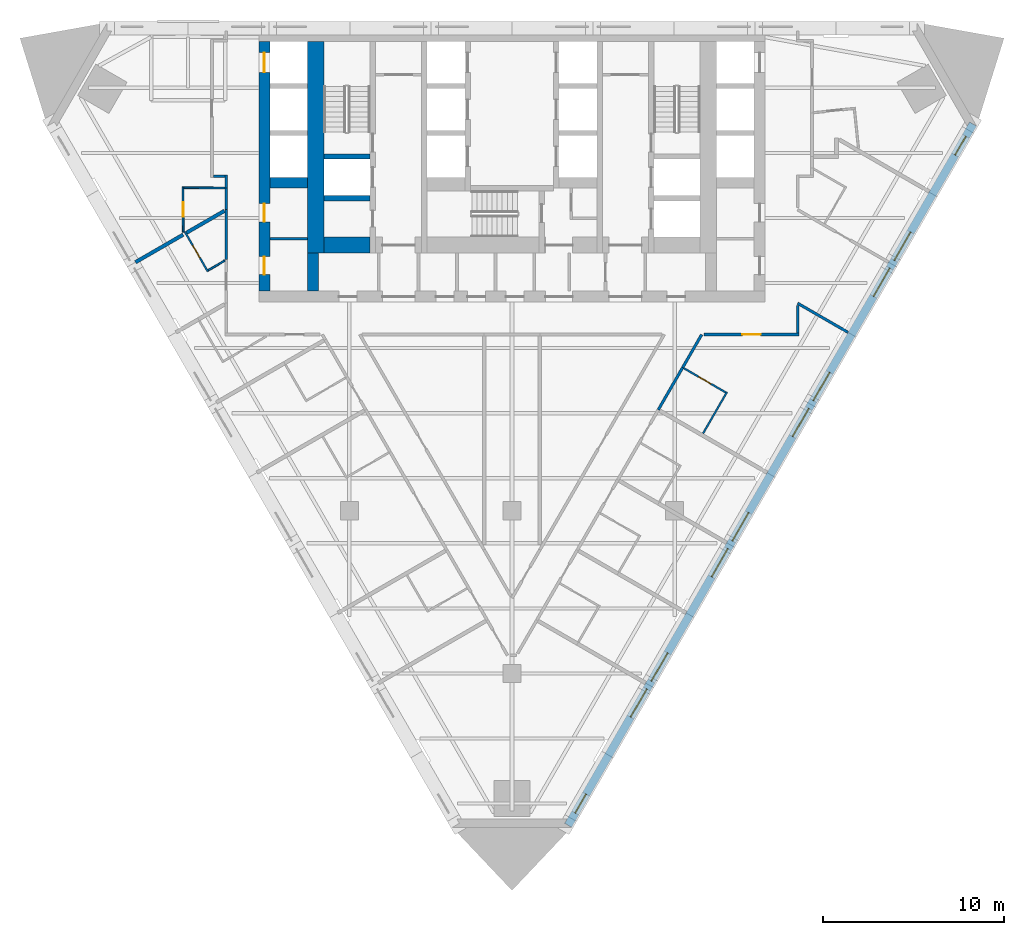
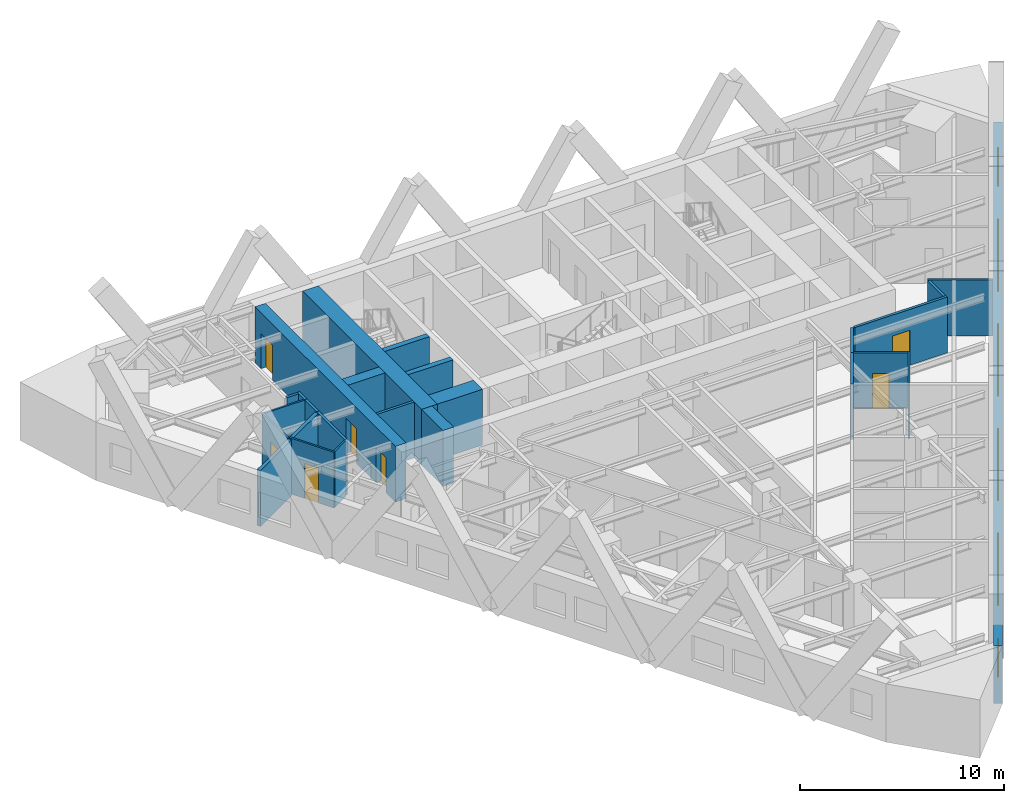
# One storey, part 5 of 9: 26 walls, 10 windows, 7 doors, 17 openings.
"""IFC4 building model written with IfcOpenShell, lengths in metres."""

from ifc_helpers import new_model, si_unit, direction, frame, frame_2d, origin, place, context, subcontext, project, spatial, polyline, rectangle, outline, extrude, material, layer, layer_set, type_object, element, fill, save


model = new_model("IFC4")

# Units and contexts
model_context = context("Model", 3, precision=1e-05, world=origin(), true_north=direction((0.0, 1.0)))
body_context = subcontext(model_context, "Body", "Model", "MODEL_VIEW")
ifc_project = project(units=[si_unit("LENGTHUNIT", "METRE"), si_unit("AREAUNIT", "SQUARE_METRE"), si_unit("VOLUMEUNIT", "CUBIC_METRE"), si_unit("PLANEANGLEUNIT", "RADIAN"), si_unit("MASSUNIT", "GRAM", prefix="KILO")], contexts=[model_context])

# Site, building, storey
site_placement = place(None, origin())
site = spatial("IfcSite", under=ifc_project, at=site_placement, CompositionType="ELEMENT")
building_placement = place(site_placement, origin())
building = spatial("IfcBuilding", under=site, at=building_placement, Name="Aloe Facet Convention Tower", CompositionType="ELEMENT")
storey_placement = place(building_placement, frame((0.0, 0.0, 42.0)))
storey = spatial("IfcBuildingStorey", under=building, at=storey_placement, Name="L08", CompositionType="ELEMENT", Elevation=42.0)

# Walls
ifc_material_1 = material(Name="Concrete blockwork partition", Category="masonry")
ifc_layer_1 = layer(ifc_material_1, 0.14990234375)
ifc_layer_set_1 = layer_set([ifc_layer_1], Name="CR-W-PART150")
wall_type_1 = type_object("IfcWallType", Name="CR-W-PART150", PredefinedType="PARTITIONING", material=ifc_layer_set_1)
wall_1_placement = place(storey_placement, frame((66.60009765625, 123.048583984375, 0.0), z_axis=(0.0, 0.0, 1.0), x_axis=(1.0, 0.0, 0.0)))
element("IfcWall", 1, at=wall_1_placement, inside=storey, type_object=wall_type_1, Name="Core partition L08-007", PredefinedType="PARTITIONING", context=body_context, shape_type="SweptSolid", body=[
    extrude(rectangle(XDim=2.099853515625, YDim=0.14990234375, at=frame_2d((1.0498046875, 0.0))), origin(), (0.0, 0.0, 1.0), 3.35009765625),
])
ifc_material_2 = material(Name="Concrete C80/95", Category="concrete")
ifc_layer_2 = layer(ifc_material_2, 0.300048828125)
ifc_layer_set_2 = layer_set([ifc_layer_2], Name="CR-W-RC300-C8095")
wall_type_2 = type_object("IfcWallType", Name="CR-W-RC300-C8095", PredefinedType="SOLIDWALL", material=ifc_layer_set_2)
for number, where, z_axis, x_axis, name in (
    (2, (69.60009765625, 127.60009765625, 0.0), (0.0, 0.0, 1.0), (1.0, 0.0, 0.0), "Core wall L08-010"),
    (3, (69.60009765625, 125.300048828125, 0.0), (0.0, 0.0, 1.0), (1.0, 0.0, 0.0), "Core wall L08-011"),
):
    element("IfcWall", number, at=place(storey_placement, frame(where, z_axis=z_axis, x_axis=x_axis)), inside=storey, type_object=wall_type_2, Name=name, PredefinedType="SOLIDWALL", context=body_context, shape_type="SweptSolid", body=[
        extrude(rectangle(XDim=2.5498046875, YDim=0.300048828125, at=frame_2d((1.27490234375, 0.0))), origin(), (0.0, 0.0, 1.0), 3.35009765625),
    ])

# Wall, openings, doors
ifc_material_3 = material(Name="Concrete C80/95", Category="concrete")
ifc_layer_3 = layer(ifc_material_3, 0.60009765625)
ifc_layer_set_3 = layer_set([ifc_layer_3], Name="CR-W-RC600-C8095")
wall_type_3 = type_object("IfcWallType", Name="CR-W-RC600-C8095", PredefinedType="SOLIDWALL", material=ifc_layer_set_3)
wall_2_placement = place(storey_placement, frame((66.300048828125, 133.949951171875, 0.0), z_axis=(0.0, 0.0, 1.0), x_axis=(0.0, -1.0, 0.0)))
wall_2 = element("IfcWall", 4, at=wall_2_placement, inside=storey, type_object=wall_type_3, Name="Core wall L08-002", PredefinedType="SOLIDWALL", context=body_context, shape_type="SweptSolid", body=[
    extrude(rectangle(XDim=13.800048828125, YDim=0.60009765625, at=frame_2d((6.89990234375, 0.0))), origin(), (0.0, 0.0, 1.0), 3.35009765625),
])
opening_1_placement = place(wall_2_placement, frame((0.60009765625, 0.0, 0.0)))
opening_1 = element("IfcOpeningElement", 5, at=opening_1_placement, cuts=wall_2, Name="Opening LD-A7-L08", PredefinedType="OPENING", context=body_context, shape_type="SweptSolid", body=[
    extrude(rectangle(XDim=1.10009765625, YDim=2.10009765625, at=frame_2d((0.550048828125, 1.050048828125))), frame((0.0, 0.31005859375, 0.0), z_axis=(0.0, -1.0, 0.0), x_axis=(1.0, 0.0, 0.0)), (0.0, 0.0, 1.0), 0.6201171875),
])
opening_2_placement = place(wall_2_placement, frame((8.963134765625, 0.0, 0.0)))
opening_2 = element("IfcOpeningElement", 6, at=opening_2_placement, cuts=wall_2, Name="Opening L08-CD33", PredefinedType="OPENING", context=body_context, shape_type="SweptSolid", body=[
    extrude(rectangle(XDim=1.0, YDim=2.10009765625, at=frame_2d((0.5, 1.050048828125))), frame((0.0, 0.31005859375, 0.0), z_axis=(0.0, -1.0, 0.0), x_axis=(1.0, 0.0, 0.0)), (0.0, 0.0, 1.0), 0.6201171875),
])
opening_3_placement = place(wall_2_placement, frame((11.88818359375, 0.0, 0.0)))
opening_3 = element("IfcOpeningElement", 7, at=opening_3_placement, cuts=wall_2, Name="Opening L08-CD34", PredefinedType="OPENING", context=body_context, shape_type="SweptSolid", body=[
    extrude(rectangle(XDim=1.0, YDim=2.10009765625, at=frame_2d((0.5, 1.050048828125))), frame((0.0, 0.31005859375, 0.0), z_axis=(0.0, -1.0, 0.0), x_axis=(1.0, 0.0, 0.0)), (0.0, 0.0, 1.0), 0.6201171875),
])
ifc_material_4 = material(Name="Steel fire-resisting door set FD60", Category="steel")
door_type_1 = type_object("IfcDoorType", Name="CR-D-ROOM-1000-FD60-SLEFT", OperationType="SINGLE_SWING_LEFT", PredefinedType="DOOR", material=ifc_material_4)
door_1_placement = place(opening_2_placement, origin())
door_1 = element("IfcDoor", 8, at=door_1_placement, inside=storey, type_object=door_type_1, Name="Core door L08-CD33", OperationType="SINGLE_SWING_LEFT", OverallHeight=2.10009765625, OverallWidth=1.0, PredefinedType="DOOR", context=body_context, shape_type="SweptSolid", body=[
    extrude(rectangle(XDim=1.0, YDim=2.10009765625, at=frame_2d((0.5, 1.050048828125))), frame((0.0, 0.02490234375, 0.0), z_axis=(0.0, -1.0, 0.0), x_axis=(1.0, 0.0, 0.0)), (0.0, 0.0, 1.0), 0.050048828125),
])
fill(opening_2, door_1)
door_2_placement = place(opening_3_placement, origin())
door_2 = element("IfcDoor", 9, at=door_2_placement, inside=storey, type_object=door_type_1, Name="Core door L08-CD34", OperationType="SINGLE_SWING_LEFT", OverallHeight=2.10009765625, OverallWidth=1.0, PredefinedType="DOOR", context=body_context, shape_type="SweptSolid", body=[
    extrude(rectangle(XDim=1.0, YDim=2.10009765625, at=frame_2d((0.5, 1.050048828125))), frame((0.0, 0.02490234375, 0.0), z_axis=(0.0, -1.0, 0.0), x_axis=(1.0, 0.0, 0.0)), (0.0, 0.0, 1.0), 0.050048828125),
])
fill(opening_3, door_2)
ifc_material_5 = material(Name="Stainless steel sliding landing door", Category="steel")
door_type_2 = type_object("IfcDoorType", Name="CR-LD-1100-FD60-_LEFT", OperationType="SLIDING_TO_LEFT", PredefinedType="DOOR", material=ifc_material_5)
door_3_placement = place(opening_1_placement, origin())
door_3 = element("IfcDoor", 10, at=door_3_placement, inside=storey, type_object=door_type_2, Name="Landing door A7 L08", OperationType="SLIDING_TO_LEFT", OverallHeight=2.10009765625, OverallWidth=1.10009765625, PredefinedType="DOOR", context=body_context, shape_type="SweptSolid", body=[
    extrude(rectangle(XDim=1.10009765625, YDim=2.10009765625, at=frame_2d((0.550048828125, 1.050048828125))), frame((0.0, 0.02490234375, 0.0), z_axis=(0.0, -1.0, 0.0), x_axis=(1.0, 0.0, 0.0)), (0.0, 0.0, 1.0), 0.050048828125),
])
fill(opening_1, door_3)

# Walls
wall_3_placement = place(storey_placement, frame((66.60009765625, 126.14990234375, 0.0), z_axis=(0.0, 0.0, 1.0), x_axis=(1.0, 0.0, 0.0)))
element("IfcWall", 11, at=wall_3_placement, inside=storey, type_object=wall_type_3, Name="Core wall L08-006", PredefinedType="SOLIDWALL", context=body_context, shape_type="SweptSolid", body=[
    extrude(rectangle(XDim=2.099853515625, YDim=0.60009765625, at=frame_2d((1.0498046875, 0.0))), origin(), (0.0, 0.0, 1.0), 3.35009765625),
])
wall_4_placement = place(storey_placement, frame((69.0, 122.25, 0.0), z_axis=(0.0, 0.0, 1.0), x_axis=(0.0, -1.0, 0.0)))
element("IfcWall", 12, at=wall_4_placement, inside=storey, type_object=wall_type_3, Name="Core wall L08-009", PredefinedType="SOLIDWALL", context=body_context, shape_type="SweptSolid", body=[
    extrude(rectangle(XDim=2.10009765625, YDim=0.60009765625, at=frame_2d((1.050048828125, 0.0))), origin(), (0.0, 0.0, 1.0), 3.35009765625),
])
ifc_material_6 = material(Name="Concrete C80/95", Category="concrete")
ifc_layer_4 = layer(ifc_material_6, 0.89990234375)
ifc_layer_set_4 = layer_set([ifc_layer_4], Name="CR-W-RC900-C8095")
wall_type_4 = type_object("IfcWallType", Name="CR-W-RC900-C8095", PredefinedType="SOLIDWALL", material=ifc_layer_set_4)
wall_5_placement = place(storey_placement, frame((69.14990234375, 133.949951171875, 0.0), z_axis=(0.0, 0.0, 1.0), x_axis=(0.0, -1.0, 0.0)))
element("IfcWall", 13, at=wall_5_placement, inside=storey, type_object=wall_type_4, Name="Core wall L08-008", PredefinedType="SOLIDWALL", context=body_context, shape_type="SweptSolid", body=[
    extrude(rectangle(XDim=11.699951171875, YDim=0.89990234375, at=frame_2d((5.85009765625, 0.0))), origin(), (0.0, 0.0, 1.0), 3.35009765625),
])
wall_6_placement = place(storey_placement, frame((69.60009765625, 122.699951171875, 0.0), z_axis=(0.0, 0.0, 1.0), x_axis=(1.0, 0.0, 0.0)))
element("IfcWall", 14, at=wall_6_placement, inside=storey, type_object=wall_type_4, Name="Core wall L08-012", PredefinedType="SOLIDWALL", context=body_context, shape_type="SweptSolid", body=[
    extrude(rectangle(XDim=2.5498046875, YDim=0.89990234375, at=frame_2d((1.27490234375, 0.0))), origin(), (0.0, 0.0, 1.0), 3.35009765625),
])

# Wall, openings, windows
ifc_material_7 = material(Name="Precast concrete C40/50", Category="concrete")
ifc_layer_5 = layer(ifc_material_7, 0.449951171875)
ifc_layer_set_5 = layer_set([ifc_layer_5], Name="EV-WALL-STONE")
wall_type_5 = type_object("IfcWallType", Name="EV-WALL-STONE", PredefinedType="SOLIDWALL", material=ifc_layer_set_5)
wall_7_placement = place(storey_placement, frame((83.105224609375, 90.598876953125, -0.14990234375), z_axis=(0.0, 0.0, 1.0), x_axis=(0.499999201451, 0.866025864826, 0.0)))
wall_7 = element("IfcWall", 15, at=wall_7_placement, inside=storey, type_object=wall_type_5, Name="EW-L08-E01", PredefinedType="SOLIDWALL", context=body_context, shape_type="SweptSolid", body=[
    extrude(outline(polyline([(44.800048828125, 0.0), (44.800048828125, 3.5), (0.0, 3.5), (0.0, 0.0), (44.800048828125, 0.0)])), frame((0.0, 0.22509765625, 0.0), z_axis=(0.0, -1.0, 0.0), x_axis=(1.0, 0.0, 0.0)), (0.0, 0.0, 1.0), 0.449951171875),
])
opening_4_placement = place(wall_7_placement, frame((0.7861328125, 0.0, 1.050048828125)))
opening_4 = element("IfcOpeningElement", 16, at=opening_4_placement, cuts=wall_7, Name="Opening W-L08-E01", PredefinedType="OPENING", context=body_context, shape_type="SweptSolid", body=[
    extrude(rectangle(XDim=1.199951171875, YDim=1.5, at=frame_2d((0.60009765625, 0.75))), frame((0.0, 0.23486328125, 0.0), z_axis=(0.0, -1.0, 0.0), x_axis=(1.0, 0.0, 0.0)), (0.0, 0.0, 1.0), 0.469970703125),
])
opening_5_placement = place(wall_7_placement, frame((6.909912109375, 0.0, 1.050048828125)))
opening_5 = element("IfcOpeningElement", 17, at=opening_5_placement, cuts=wall_7, Name="Opening W-L08-E02", PredefinedType="OPENING", context=body_context, shape_type="SweptSolid", body=[
    extrude(rectangle(XDim=1.800048828125, YDim=1.5, at=frame_2d((0.89990234375, 0.75))), frame((0.0, 0.23486328125, 0.0), z_axis=(0.0, -1.0, 0.0), x_axis=(1.0, 0.0, 0.0)), (0.0, 0.0, 1.0), 0.469970703125),
])
opening_6_placement = place(wall_7_placement, frame((9.2099609375, 0.0, 1.050048828125)))
opening_6 = element("IfcOpeningElement", 18, at=opening_6_placement, cuts=wall_7, Name="Opening W-L08-E03", PredefinedType="OPENING", context=body_context, shape_type="SweptSolid", body=[
    extrude(rectangle(XDim=1.800048828125, YDim=1.5, at=frame_2d((0.89990234375, 0.75))), frame((0.0, 0.23486328125, 0.0), z_axis=(0.0, -1.0, 0.0), x_axis=(1.0, 0.0, 0.0)), (0.0, 0.0, 1.0), 0.469970703125),
])
opening_7_placement = place(wall_7_placement, frame((15.8701171875, 0.0, 1.050048828125)))
opening_7 = element("IfcOpeningElement", 19, at=opening_7_placement, cuts=wall_7, Name="Opening W-L08-E04", PredefinedType="OPENING", context=body_context, shape_type="SweptSolid", body=[
    extrude(rectangle(XDim=1.800048828125, YDim=1.5, at=frame_2d((0.89990234375, 0.75))), frame((0.0, 0.23486328125, 0.0), z_axis=(0.0, -1.0, 0.0), x_axis=(1.0, 0.0, 0.0)), (0.0, 0.0, 1.0), 0.469970703125),
])
opening_8_placement = place(wall_7_placement, frame((18.169921875, 0.0, 1.050048828125)))
opening_8 = element("IfcOpeningElement", 20, at=opening_8_placement, cuts=wall_7, Name="Opening W-L08-E05", PredefinedType="OPENING", context=body_context, shape_type="SweptSolid", body=[
    extrude(rectangle(XDim=1.800048828125, YDim=1.5, at=frame_2d((0.89990234375, 0.75))), frame((0.0, 0.23486328125, 0.0), z_axis=(0.0, -1.0, 0.0), x_axis=(1.0, 0.0, 0.0)), (0.0, 0.0, 1.0), 0.469970703125),
])
opening_9_placement = place(wall_7_placement, frame((24.830078125, 0.0, 1.050048828125)))
opening_9 = element("IfcOpeningElement", 21, at=opening_9_placement, cuts=wall_7, Name="Opening W-L08-E06", PredefinedType="OPENING", context=body_context, shape_type="SweptSolid", body=[
    extrude(rectangle(XDim=1.800048828125, YDim=1.5, at=frame_2d((0.89990234375, 0.75))), frame((0.0, 0.23486328125, 0.0), z_axis=(0.0, -1.0, 0.0), x_axis=(1.0, 0.0, 0.0)), (0.0, 0.0, 1.0), 0.469970703125),
])
opening_10_placement = place(wall_7_placement, frame((27.1298828125, 0.0, 1.050048828125)))
opening_10 = element("IfcOpeningElement", 22, at=opening_10_placement, cuts=wall_7, Name="Opening W-L08-E07", PredefinedType="OPENING", context=body_context, shape_type="SweptSolid", body=[
    extrude(rectangle(XDim=1.800048828125, YDim=1.5, at=frame_2d((0.89990234375, 0.75))), frame((0.0, 0.23486328125, 0.0), z_axis=(0.0, -1.0, 0.0), x_axis=(1.0, 0.0, 0.0)), (0.0, 0.0, 1.0), 0.469970703125),
])
opening_11_placement = place(wall_7_placement, frame((33.7900390625, 0.0, 1.050048828125)))
opening_11 = element("IfcOpeningElement", 23, at=opening_11_placement, cuts=wall_7, Name="Opening W-L08-E08", PredefinedType="OPENING", context=body_context, shape_type="SweptSolid", body=[
    extrude(rectangle(XDim=1.800048828125, YDim=1.5, at=frame_2d((0.89990234375, 0.75))), frame((0.0, 0.23486328125, 0.0), z_axis=(0.0, -1.0, 0.0), x_axis=(1.0, 0.0, 0.0)), (0.0, 0.0, 1.0), 0.469970703125),
])
opening_12_placement = place(wall_7_placement, frame((36.090087890625, 0.0, 1.050048828125)))
opening_12 = element("IfcOpeningElement", 24, at=opening_12_placement, cuts=wall_7, Name="Opening W-L08-E09", PredefinedType="OPENING", context=body_context, shape_type="SweptSolid", body=[
    extrude(rectangle(XDim=1.800048828125, YDim=1.5, at=frame_2d((0.89990234375, 0.75))), frame((0.0, 0.23486328125, 0.0), z_axis=(0.0, -1.0, 0.0), x_axis=(1.0, 0.0, 0.0)), (0.0, 0.0, 1.0), 0.469970703125),
])
opening_13_placement = place(wall_7_placement, frame((42.81396484375, 0.0, 1.050048828125)))
opening_13 = element("IfcOpeningElement", 25, at=opening_13_placement, cuts=wall_7, Name="Opening W-L08-E10", PredefinedType="OPENING", context=body_context, shape_type="SweptSolid", body=[
    extrude(rectangle(XDim=1.199951171875, YDim=1.5, at=frame_2d((0.60009765625, 0.75))), frame((0.0, 0.23486328125, 0.0), z_axis=(0.0, -1.0, 0.0), x_axis=(1.0, 0.0, 0.0)), (0.0, 0.0, 1.0), 0.469970703125),
])
ifc_material_8 = material(Name="Aluminium frame, clear double glazing", Category="aluminium")
window_type_1 = type_object("IfcWindowType", Name="EV-WIN-H12", PartitioningType="SINGLE_PANEL", PredefinedType="WINDOW", material=ifc_material_8)
window_1_placement = place(opening_4_placement, origin())
window_1 = element("IfcWindow", 26, at=window_1_placement, inside=storey, type_object=window_type_1, Name="W-L08-E01", OverallHeight=1.5, OverallWidth=1.199951171875, PartitioningType="SINGLE_PANEL", PredefinedType="WINDOW", context=body_context, shape_type="SweptSolid", body=[
    extrude(rectangle(XDim=1.199951171875, YDim=1.5, at=frame_2d((0.60009765625, 0.75))), frame((0.0, 0.030029296875, 0.0), z_axis=(0.0, -1.0, 0.0), x_axis=(1.0, 0.0, 0.0)), (0.0, 0.0, 1.0), 0.06005859375),
])
fill(opening_4, window_1)
window_2_placement = place(opening_13_placement, origin())
window_2 = element("IfcWindow", 27, at=window_2_placement, inside=storey, type_object=window_type_1, Name="W-L08-E10", OverallHeight=1.5, OverallWidth=1.199951171875, PartitioningType="SINGLE_PANEL", PredefinedType="WINDOW", context=body_context, shape_type="SweptSolid", body=[
    extrude(rectangle(XDim=1.199951171875, YDim=1.5, at=frame_2d((0.60009765625, 0.75))), frame((0.0, 0.030029296875, 0.0), z_axis=(0.0, -1.0, 0.0), x_axis=(1.0, 0.0, 0.0)), (0.0, 0.0, 1.0), 0.06005859375),
])
fill(opening_13, window_2)
ifc_material_9 = material(Name="Aluminium frame, clear double glazing", Category="aluminium")
window_type_2 = type_object("IfcWindowType", Name="EV-WIN-H18", PartitioningType="SINGLE_PANEL", PredefinedType="WINDOW", material=ifc_material_9)
window_3_placement = place(opening_5_placement, origin())
window_3 = element("IfcWindow", 28, at=window_3_placement, inside=storey, type_object=window_type_2, Name="W-L08-E02", OverallHeight=1.5, OverallWidth=1.800048828125, PartitioningType="SINGLE_PANEL", PredefinedType="WINDOW", context=body_context, shape_type="SweptSolid", body=[
    extrude(rectangle(XDim=1.800048828125, YDim=1.5, at=frame_2d((0.89990234375, 0.75))), frame((0.0, 0.030029296875, 0.0), z_axis=(0.0, -1.0, 0.0), x_axis=(1.0, 0.0, 0.0)), (0.0, 0.0, 1.0), 0.06005859375),
])
fill(opening_5, window_3)
window_4_placement = place(opening_6_placement, origin())
window_4 = element("IfcWindow", 29, at=window_4_placement, inside=storey, type_object=window_type_2, Name="W-L08-E03", OverallHeight=1.5, OverallWidth=1.800048828125, PartitioningType="SINGLE_PANEL", PredefinedType="WINDOW", context=body_context, shape_type="SweptSolid", body=[
    extrude(rectangle(XDim=1.800048828125, YDim=1.5, at=frame_2d((0.89990234375, 0.75))), frame((0.0, 0.030029296875, 0.0), z_axis=(0.0, -1.0, 0.0), x_axis=(1.0, 0.0, 0.0)), (0.0, 0.0, 1.0), 0.06005859375),
])
fill(opening_6, window_4)
window_5_placement = place(opening_7_placement, origin())
window_5 = element("IfcWindow", 30, at=window_5_placement, inside=storey, type_object=window_type_2, Name="W-L08-E04", OverallHeight=1.5, OverallWidth=1.800048828125, PartitioningType="SINGLE_PANEL", PredefinedType="WINDOW", context=body_context, shape_type="SweptSolid", body=[
    extrude(rectangle(XDim=1.800048828125, YDim=1.5, at=frame_2d((0.89990234375, 0.75))), frame((0.0, 0.030029296875, 0.0), z_axis=(0.0, -1.0, 0.0), x_axis=(1.0, 0.0, 0.0)), (0.0, 0.0, 1.0), 0.06005859375),
])
fill(opening_7, window_5)
window_6_placement = place(opening_8_placement, origin())
window_6 = element("IfcWindow", 31, at=window_6_placement, inside=storey, type_object=window_type_2, Name="W-L08-E05", OverallHeight=1.5, OverallWidth=1.800048828125, PartitioningType="SINGLE_PANEL", PredefinedType="WINDOW", context=body_context, shape_type="SweptSolid", body=[
    extrude(rectangle(XDim=1.800048828125, YDim=1.5, at=frame_2d((0.89990234375, 0.75))), frame((0.0, 0.030029296875, 0.0), z_axis=(0.0, -1.0, 0.0), x_axis=(1.0, 0.0, 0.0)), (0.0, 0.0, 1.0), 0.06005859375),
])
fill(opening_8, window_6)
window_7_placement = place(opening_9_placement, origin())
window_7 = element("IfcWindow", 32, at=window_7_placement, inside=storey, type_object=window_type_2, Name="W-L08-E06", OverallHeight=1.5, OverallWidth=1.800048828125, PartitioningType="SINGLE_PANEL", PredefinedType="WINDOW", context=body_context, shape_type="SweptSolid", body=[
    extrude(rectangle(XDim=1.800048828125, YDim=1.5, at=frame_2d((0.89990234375, 0.75))), frame((0.0, 0.030029296875, 0.0), z_axis=(0.0, -1.0, 0.0), x_axis=(1.0, 0.0, 0.0)), (0.0, 0.0, 1.0), 0.06005859375),
])
fill(opening_9, window_7)
window_8_placement = place(opening_10_placement, origin())
window_8 = element("IfcWindow", 33, at=window_8_placement, inside=storey, type_object=window_type_2, Name="W-L08-E07", OverallHeight=1.5, OverallWidth=1.800048828125, PartitioningType="SINGLE_PANEL", PredefinedType="WINDOW", context=body_context, shape_type="SweptSolid", body=[
    extrude(rectangle(XDim=1.800048828125, YDim=1.5, at=frame_2d((0.89990234375, 0.75))), frame((0.0, 0.030029296875, 0.0), z_axis=(0.0, -1.0, 0.0), x_axis=(1.0, 0.0, 0.0)), (0.0, 0.0, 1.0), 0.06005859375),
])
fill(opening_10, window_8)
window_9_placement = place(opening_11_placement, origin())
window_9 = element("IfcWindow", 34, at=window_9_placement, inside=storey, type_object=window_type_2, Name="W-L08-E08", OverallHeight=1.5, OverallWidth=1.800048828125, PartitioningType="SINGLE_PANEL", PredefinedType="WINDOW", context=body_context, shape_type="SweptSolid", body=[
    extrude(rectangle(XDim=1.800048828125, YDim=1.5, at=frame_2d((0.89990234375, 0.75))), frame((0.0, 0.030029296875, 0.0), z_axis=(0.0, -1.0, 0.0), x_axis=(1.0, 0.0, 0.0)), (0.0, 0.0, 1.0), 0.06005859375),
])
fill(opening_11, window_9)
window_10_placement = place(opening_12_placement, origin())
window_10 = element("IfcWindow", 35, at=window_10_placement, inside=storey, type_object=window_type_2, Name="W-L08-E09", OverallHeight=1.5, OverallWidth=1.800048828125, PartitioningType="SINGLE_PANEL", PredefinedType="WINDOW", context=body_context, shape_type="SweptSolid", body=[
    extrude(rectangle(XDim=1.800048828125, YDim=1.5, at=frame_2d((0.89990234375, 0.75))), frame((0.0, 0.030029296875, 0.0), z_axis=(0.0, -1.0, 0.0), x_axis=(1.0, 0.0, 0.0)), (0.0, 0.0, 1.0), 0.06005859375),
])
fill(opening_12, window_10)

# Walls
ifc_material_10 = material(Name="Gypsum board partition on steel studs", Category="steel")
ifc_layer_6 = layer(ifc_material_10, 0.14990234375)
ifc_layer_set_6 = layer_set([ifc_layer_6], Name="IN-W-CORR")
wall_type_6 = type_object("IfcWallType", Name="IN-W-CORR", PredefinedType="PARTITIONING", material=ifc_layer_set_6)
wall_8_placement = place(storey_placement, frame((88.09130859375, 113.585205078125, 0.0), z_axis=(0.0, 0.0, 1.0), x_axis=(0.50000943426, 0.866019956843, 0.0)))
element("IfcWall", 36, at=wall_8_placement, inside=storey, type_object=wall_type_6, Name="Partition L08-W052", PredefinedType="PARTITIONING", context=body_context, shape_type="SweptSolid", body=[
    extrude(rectangle(XDim=2.7001953125, YDim=0.14990234375, at=frame_2d((1.35009765625, 0.0))), origin(), (0.0, 0.0, 1.0), 3.35009765625),
])
wall_9_placement = place(storey_placement, frame((89.44140625, 115.923583984375, 0.0), z_axis=(0.0, 0.0, 1.0), x_axis=(0.499986337096, 0.866033291922, 0.0)))
element("IfcWall", 37, at=wall_9_placement, inside=storey, type_object=wall_type_6, Name="Partition L08-W069", PredefinedType="PARTITIONING", context=body_context, shape_type="SweptSolid", body=[
    extrude(rectangle(XDim=2.10888671875, YDim=0.14990234375, at=frame_2d((1.054443359375, 0.0))), origin(), (0.0, 0.0, 1.0), 3.35009765625),
])

# Wall, opening, door
wall_10_placement = place(storey_placement, frame((90.625732421875, 117.75, 0.0), z_axis=(0.0, 0.0, 1.0), x_axis=(1.0, 0.0, 0.0)))
wall_10 = element("IfcWall", 38, at=wall_10_placement, inside=storey, type_object=wall_type_6, Name="Partition L08-W070", PredefinedType="PARTITIONING", context=body_context, shape_type="SweptSolid", body=[
    extrude(rectangle(XDim=5.249267578125, YDim=0.14990234375, at=frame_2d((2.62451171875, 0.0))), origin(), (0.0, 0.0, 1.0), 3.35009765625),
])
opening_14_placement = place(wall_10_placement, frame((2.12451171875, 0.0, 0.0)))
opening_14 = element("IfcOpeningElement", 39, at=opening_14_placement, cuts=wall_10, Name="Opening L08-010", PredefinedType="OPENING", context=body_context, shape_type="SweptSolid", body=[
    extrude(rectangle(XDim=1.0, YDim=2.10009765625, at=frame_2d((0.5, 1.050048828125))), frame((0.0, 0.0849609375, 0.0), z_axis=(0.0, -1.0, 0.0), x_axis=(1.0, 0.0, 0.0)), (0.0, 0.0, 1.0), 0.169921875),
])
ifc_material_11 = material(Name="Hardwood flush door FD30S", Category="wood")
door_type_3 = type_object("IfcDoorType", Name="IN-D-WIDE", OperationType="SINGLE_SWING_LEFT", PredefinedType="DOOR", material=ifc_material_11)
door_4_placement = place(opening_14_placement, origin())
door_4 = element("IfcDoor", 40, at=door_4_placement, inside=storey, type_object=door_type_3, Name="Door L08-010", OperationType="SINGLE_SWING_LEFT", OverallHeight=2.10009765625, OverallWidth=1.0, PredefinedType="DOOR", context=body_context, shape_type="SweptSolid", body=[
    extrude(rectangle(XDim=1.0, YDim=2.10009765625, at=frame_2d((0.5, 1.050048828125))), frame((0.0, 0.02490234375, 0.0), z_axis=(0.0, -1.0, 0.0), x_axis=(1.0, 0.0, 0.0)), (0.0, 0.0, 1.0), 0.050048828125),
])
fill(opening_14, door_4)

# Walls
wall_11_placement = place(storey_placement, frame((95.800048828125, 119.480712890625, 0.0), z_axis=(0.0, 0.0, 1.0), x_axis=(0.866017228228, -0.500014160211, 0.0)))
element("IfcWall", 41, at=wall_11_placement, inside=storey, type_object=wall_type_6, Name="Partition L08-W072", PredefinedType="PARTITIONING", context=body_context, shape_type="SweptSolid", body=[
    extrude(rectangle(XDim=3.2119140625, YDim=0.14990234375, at=frame_2d((1.60595703125, 0.0))), origin(), (0.0, 0.0, 1.0), 3.35009765625),
])
wall_12_placement = place(storey_placement, frame((95.800048828125, 117.824951171875, 0.0), z_axis=(0.0, 0.0, 1.0), x_axis=(0.0, 1.0, 0.0)))
element("IfcWall", 42, at=wall_12_placement, inside=storey, type_object=wall_type_6, Name="Partition L08-W076", PredefinedType="PARTITIONING", context=body_context, shape_type="SweptSolid", body=[
    extrude(rectangle(XDim=1.52587890625, YDim=0.14990234375, at=frame_2d((0.762939453125, 0.0))), origin(), (0.0, 0.0, 1.0), 3.35009765625),
])
wall_13_placement = place(storey_placement, frame((64.199951171875, 121.89404296875, 0.0), z_axis=(0.0, 0.0, 1.0), x_axis=(0.0, 1.0, 0.0)))
element("IfcWall", 43, at=wall_13_placement, inside=storey, type_object=wall_type_6, Name="Partition L08-W085", PredefinedType="PARTITIONING", context=body_context, shape_type="SweptSolid", body=[
    extrude(rectangle(XDim=2.759765625, YDim=0.14990234375, at=frame_2d((1.3798828125, 0.0))), origin(), (0.0, 0.0, 1.0), 3.35009765625),
])
wall_14_placement = place(storey_placement, frame((64.199951171875, 125.858154296875, 0.0), z_axis=(0.0, 0.0, 1.0), x_axis=(0.0, 1.0, 0.0)))
element("IfcWall", 44, at=wall_14_placement, inside=storey, type_object=wall_type_6, Name="Partition L08-W088", PredefinedType="PARTITIONING", context=body_context, shape_type="SweptSolid", body=[
    extrude(rectangle(XDim=0.716796875, YDim=0.14990234375, at=frame_2d((0.3583984375, 0.0))), origin(), (0.0, 0.0, 1.0), 3.35009765625),
])
wall_15_placement = place(storey_placement, frame((64.199951171875, 124.65380859375, 0.0), z_axis=(0.0, 0.0, 1.0), x_axis=(0.0, 1.0, 0.0)))
element("IfcWall", 45, at=wall_15_placement, inside=storey, type_object=wall_type_6, Name="Partition L08-W090", PredefinedType="PARTITIONING", context=body_context, shape_type="SweptSolid", body=[
    extrude(rectangle(XDim=1.204345703125, YDim=0.14990234375, at=frame_2d((0.60205078125, 0.0))), origin(), (0.0, 0.0, 1.0), 3.35009765625),
])
wall_16_placement = place(storey_placement, frame((63.47509765625, 126.5, 0.0), z_axis=(0.0, 0.0, 1.0), x_axis=(1.0, 0.0, 0.0)))
element("IfcWall", 46, at=wall_16_placement, inside=storey, type_object=wall_type_6, Name="Partition L08-W093", PredefinedType="PARTITIONING", context=body_context, shape_type="SweptSolid", body=[
    extrude(rectangle(XDim=0.64990234375, YDim=0.14990234375, at=frame_2d((0.324951171875, 0.0))), origin(), (0.0, 0.0, 1.0), 3.35009765625),
])
ifc_material_12 = material(Name="Gypsum board partition on steel studs", Category="steel")
ifc_layer_7 = layer(ifc_material_12, 0.10009765625)
ifc_layer_set_7 = layer_set([ifc_layer_7], Name="IN-W-PART")
wall_type_7 = type_object("IfcWallType", Name="IN-W-PART", PredefinedType="PARTITIONING", material=ifc_layer_set_7)
wall_17_placement = place(storey_placement, frame((90.5712890625, 112.280517578125, 0.0), z_axis=(0.0, 0.0, 1.0), x_axis=(0.500007957085, 0.86602080971, 0.0)))
element("IfcWall", 47, at=wall_17_placement, inside=storey, type_object=wall_type_7, Name="Partition L08-W055", PredefinedType="PARTITIONING", context=body_context, shape_type="SweptSolid", body=[
    extrude(rectangle(XDim=2.64013671875, YDim=0.10009765625, at=frame_2d((1.320068359375, 0.0))), origin(), (0.0, 0.0, 1.0), 3.35009765625),
])

# Wall, opening, door
wall_18_placement = place(storey_placement, frame((89.51513671875, 115.881103515625, 0.0), z_axis=(0.0, 0.0, 1.0), x_axis=(0.86601318911, -0.500021155841, 0.0)))
wall_18 = element("IfcWall", 48, at=wall_18_placement, inside=storey, type_object=wall_type_7, Name="Partition L08-W057", PredefinedType="PARTITIONING", context=body_context, shape_type="SweptSolid", body=[
    extrude(rectangle(XDim=2.6650390625, YDim=0.10009765625, at=frame_2d((1.33251953125, 0.0))), origin(), (0.0, 0.0, 1.0), 3.35009765625),
])
opening_15_placement = place(wall_18_placement, frame((0.9326171875, 0.0, 0.0)))
opening_15 = element("IfcOpeningElement", 49, at=opening_15_placement, cuts=wall_18, Name="Opening L08-026", PredefinedType="OPENING", context=body_context, shape_type="SweptSolid", body=[
    extrude(rectangle(XDim=0.800048828125, YDim=2.10009765625, at=frame_2d((0.39990234375, 1.050048828125))), frame((0.0, 0.06005859375, 0.0), z_axis=(0.0, -1.0, 0.0), x_axis=(1.0, 0.0, 0.0)), (0.0, 0.0, 1.0), 0.1201171875),
])
ifc_material_13 = material(Name="Timber flush door", Category="wood")
door_type_4 = type_object("IfcDoorType", Name="IN-D-BATH", OperationType="SINGLE_SWING_LEFT", PredefinedType="DOOR", material=ifc_material_13)
door_5_placement = place(opening_15_placement, origin())
door_5 = element("IfcDoor", 50, at=door_5_placement, inside=storey, type_object=door_type_4, Name="Door L08-026", OperationType="SINGLE_SWING_LEFT", OverallHeight=2.10009765625, OverallWidth=0.800048828125, PredefinedType="DOOR", context=body_context, shape_type="SweptSolid", body=[
    extrude(rectangle(XDim=0.800048828125, YDim=2.10009765625, at=frame_2d((0.39990234375, 1.050048828125))), frame((0.0, 0.02490234375, 0.0), z_axis=(0.0, -1.0, 0.0), x_axis=(1.0, 0.0, 0.0)), (0.0, 0.0, 1.0), 0.050048828125),
])
fill(opening_15, door_5)

wall_19_placement = place(storey_placement, frame((61.8984375, 123.4404296875, 0.0), z_axis=(0.0, 0.0, 1.0), x_axis=(0.499990435942, -0.866030925526, 0.0)))
wall_19 = element("IfcWall", 51, at=wall_19_placement, inside=storey, type_object=wall_type_7, Name="Partition L08-W077", PredefinedType="PARTITIONING", context=body_context, shape_type="SweptSolid", body=[
    extrude(rectangle(XDim=2.5498046875, YDim=0.10009765625, at=frame_2d((1.27490234375, 0.0))), origin(), (0.0, 0.0, 1.0), 3.35009765625),
])
opening_16_placement = place(wall_19_placement, frame((0.875, 0.0, 0.0)))
opening_16 = element("IfcOpeningElement", 52, at=opening_16_placement, cuts=wall_19, Name="Opening L08-018", PredefinedType="OPENING", context=body_context, shape_type="SweptSolid", body=[
    extrude(rectangle(XDim=0.800048828125, YDim=2.10009765625, at=frame_2d((0.39990234375, 1.050048828125))), frame((0.0, 0.06005859375, 0.0), z_axis=(0.0, -1.0, 0.0), x_axis=(1.0, 0.0, 0.0)), (0.0, 0.0, 1.0), 0.1201171875),
])
door_6_placement = place(opening_16_placement, origin())
door_6 = element("IfcDoor", 53, at=door_6_placement, inside=storey, type_object=door_type_4, Name="Door L08-018", OperationType="SINGLE_SWING_LEFT", OverallHeight=2.10009765625, OverallWidth=0.800048828125, PredefinedType="DOOR", context=body_context, shape_type="SweptSolid", body=[
    extrude(rectangle(XDim=0.800048828125, YDim=2.10009765625, at=frame_2d((0.39990234375, 1.050048828125))), frame((0.0, 0.02490234375, 0.0), z_axis=(0.0, -1.0, 0.0), x_axis=(1.0, 0.0, 0.0)), (0.0, 0.0, 1.0), 0.050048828125),
])
fill(opening_16, door_6)

# Wall
wall_20_placement = place(storey_placement, frame((63.199951171875, 121.305908203125, 0.0), z_axis=(0.0, 0.0, 1.0), x_axis=(0.86196956313, 0.506960030216, 0.0)))
element("IfcWall", 54, at=wall_20_placement, inside=storey, type_object=wall_type_7, Name="Partition L08-W079", PredefinedType="PARTITIONING", context=body_context, shape_type="SweptSolid", body=[
    extrude(rectangle(XDim=1.065185546875, YDim=0.10009765625, at=frame_2d((0.53271484375, 0.0))), origin(), (0.0, 0.0, 1.0), 3.35009765625),
])

# Wall, opening, door
wall_21_placement = place(storey_placement, frame((61.809326171875, 123.417724609375, 0.0), z_axis=(0.0, 0.0, 1.0), x_axis=(-0.003807822423, 0.999992750218, 0.0)))
wall_21 = element("IfcWall", 55, at=wall_21_placement, inside=storey, type_object=wall_type_7, Name="Partition L08-W080", PredefinedType="PARTITIONING", context=body_context, shape_type="SweptSolid", body=[
    extrude(rectangle(XDim=2.50048828125, YDim=0.10009765625, at=frame_2d((1.250244140625, 0.0))), origin(), (0.0, 0.0, 1.0), 3.35009765625),
])
opening_17_placement = place(wall_21_placement, frame((0.85009765625, 0.0, 0.0)))
opening_17 = element("IfcOpeningElement", 56, at=opening_17_placement, cuts=wall_21, Name="Opening L08-017", PredefinedType="OPENING", context=body_context, shape_type="SweptSolid", body=[
    extrude(rectangle(XDim=0.800048828125, YDim=2.10009765625, at=frame_2d((0.39990234375, 1.050048828125))), frame((0.0, 0.06005859375, 0.0), z_axis=(0.0, -1.0, 0.0), x_axis=(1.0, 0.0, 0.0)), (0.0, 0.0, 1.0), 0.1201171875),
])
door_7_placement = place(opening_17_placement, origin())
door_7 = element("IfcDoor", 57, at=door_7_placement, inside=storey, type_object=door_type_4, Name="Door L08-017", OperationType="SINGLE_SWING_LEFT", OverallHeight=2.10009765625, OverallWidth=0.800048828125, PredefinedType="DOOR", context=body_context, shape_type="SweptSolid", body=[
    extrude(rectangle(XDim=0.800048828125, YDim=2.10009765625, at=frame_2d((0.39990234375, 1.050048828125))), frame((0.0, 0.02490234375, 0.0), z_axis=(0.0, -1.0, 0.0), x_axis=(1.0, 0.0, 0.0)), (0.0, 0.0, 1.0), 0.050048828125),
])
fill(opening_17, door_7)

# Walls
wall_22_placement = place(storey_placement, frame((61.85009765625, 125.867919921875, 0.0), z_axis=(0.0, 0.0, 1.0), x_axis=(0.999991684538, -0.004078094442, 0.0)))
element("IfcWall", 58, at=wall_22_placement, inside=storey, type_object=wall_type_7, Name="Partition L08-W089", PredefinedType="PARTITIONING", context=body_context, shape_type="SweptSolid", body=[
    extrude(rectangle(XDim=2.27490234375, YDim=0.10009765625, at=frame_2d((1.137451171875, 0.0))), origin(), (0.0, 0.0, 1.0), 3.35009765625),
])
ifc_material_14 = material(Name="Gypsum board partition on steel studs", Category="steel")
ifc_layer_8 = layer(ifc_material_14, 0.199951171875)
ifc_layer_set_8 = layer_set([ifc_layer_8], Name="IN-W-PARTY")
wall_type_8 = type_object("IfcWallType", Name="IN-W-PARTY", PredefinedType="PARTITIONING", material=ifc_layer_set_8)
wall_23_placement = place(storey_placement, frame((59.169677734375, 121.749755859375, 0.0), z_axis=(0.0, 0.0, 1.0), x_axis=(0.86606157367, 0.499937346687, 0.0)))
element("IfcWall", 59, at=wall_23_placement, inside=storey, type_object=wall_type_8, Name="Partition L08-W078", PredefinedType="PARTITIONING", context=body_context, shape_type="SweptSolid", body=[
    extrude(rectangle(XDim=3.048828125, YDim=0.199951171875, at=frame_2d((1.5244140625, 0.0))), origin(), (0.0, 0.0, 1.0), 3.35009765625),
])
wall_24_placement = place(storey_placement, frame((62.000244140625, 123.3837890625, 0.0), z_axis=(0.0, 0.0, 1.0), x_axis=(0.866032396701, 0.499987887718, 0.0)))
element("IfcWall", 60, at=wall_24_placement, inside=storey, type_object=wall_type_8, Name="Partition L08-W081", PredefinedType="PARTITIONING", context=body_context, shape_type="SweptSolid", body=[
    extrude(rectangle(XDim=2.4150390625, YDim=0.199951171875, at=frame_2d((1.20751953125, 0.0))), origin(), (0.0, 0.0, 1.0), 3.35009765625),
])

save(model, "model.ifc")
